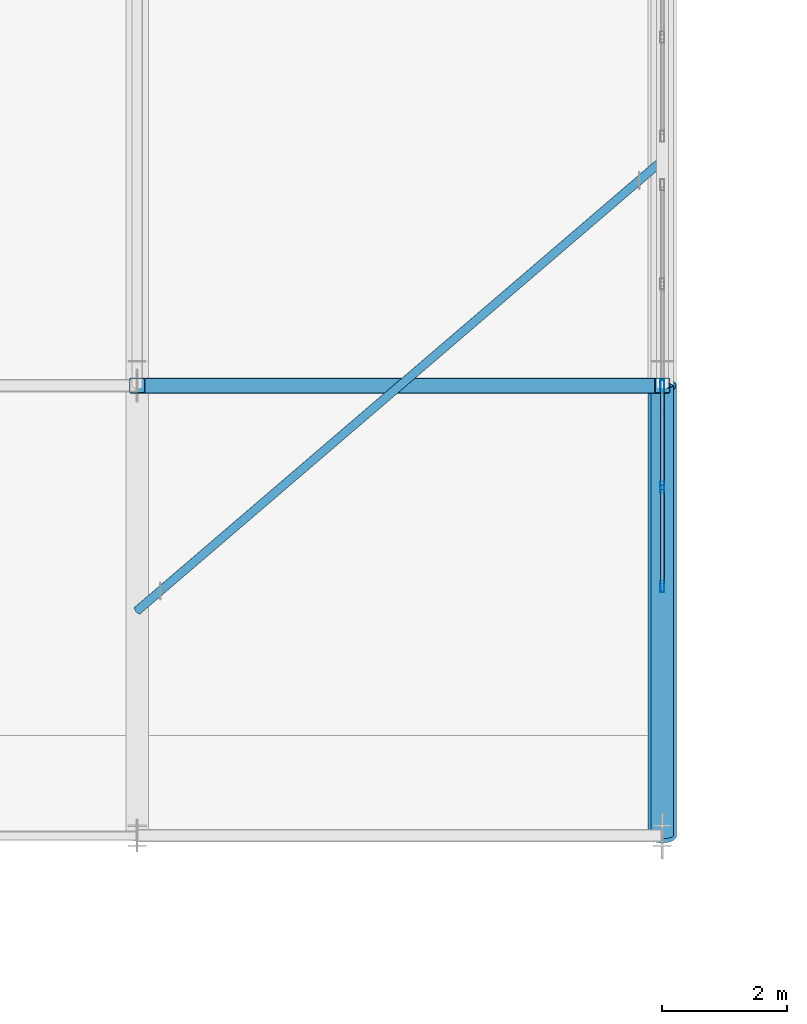
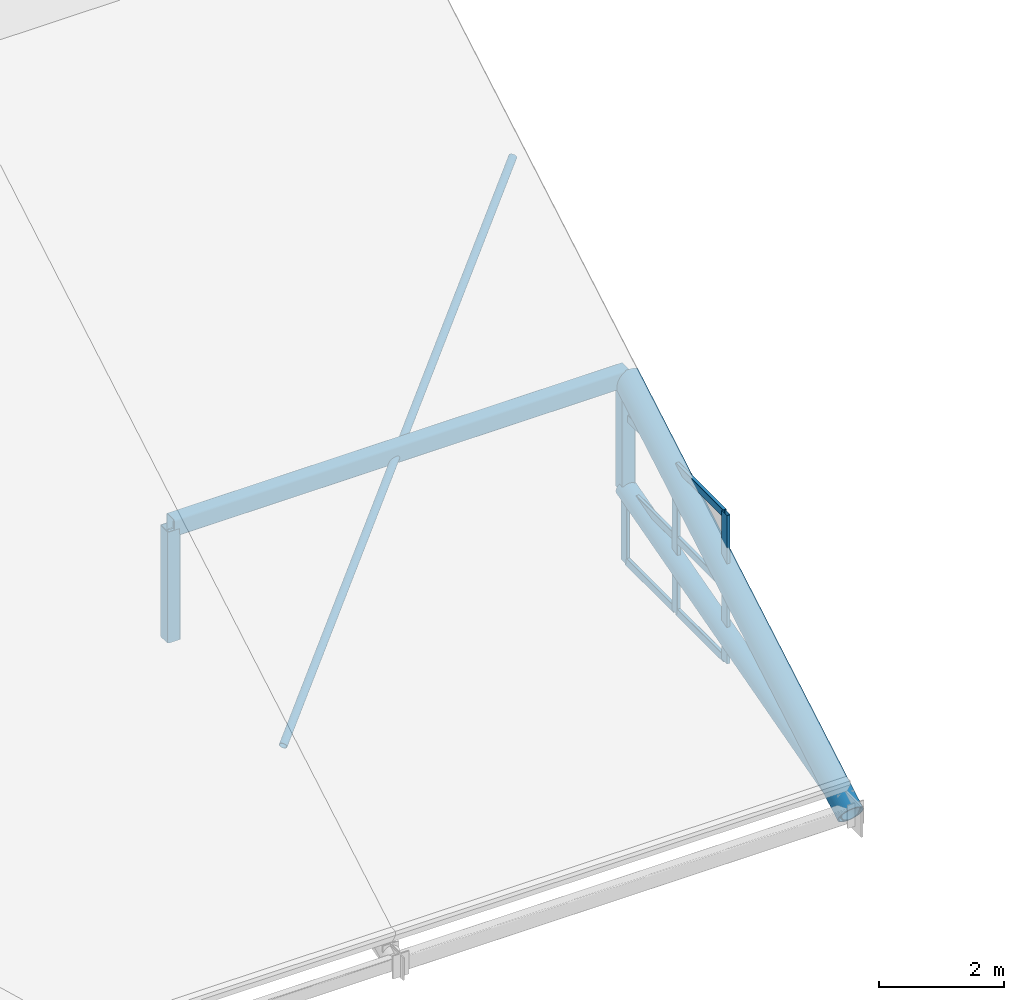
# One storey, part 21 of 54: 15 members, 1 element without a shape of its own.
"""IFC4 building model written with IfcOpenShell, lengths in metres."""

from ifc_helpers import new_model, si_unit, direction, frame, origin, origin_2d, place, context, subcontext, project, spatial, hollow_rectangle, hollow_circle, extrude, material, layer, layer_set, material_profile, profile_set, type_object, element, aggregate, save


model = new_model("IFC4")

# Units and contexts
model_context = context("Model", 3, precision=1e-05, world=origin(), true_north=direction((0.0, 1.0)))
body_context = subcontext(model_context, "Body", "Model", "MODEL_VIEW")
ifc_project = project(units=[si_unit("LENGTHUNIT", "METRE"), si_unit("AREAUNIT", "SQUARE_METRE"), si_unit("VOLUMEUNIT", "CUBIC_METRE"), si_unit("PLANEANGLEUNIT", "RADIAN"), si_unit("MASSUNIT", "GRAM", prefix="KILO")], contexts=[model_context])

# Site, building, storey
site_placement = place(None, origin())
site = spatial("IfcSite", under=ifc_project, at=site_placement, CompositionType="ELEMENT")
building_placement = place(site_placement, origin())
building = spatial("IfcBuilding", under=site, at=building_placement, Name="Zulmaris Art Gallery", CompositionType="ELEMENT")
storey_placement = place(building_placement, frame((0.0, 0.0, 26.39990234375)))
storey = spatial("IfcBuildingStorey", under=building, at=storey_placement, Name="L05", CompositionType="ELEMENT", Elevation=26.39990234375)

# Curtain wall, members
ifc_material_1 = material(Name="Pitched Roof North-Light Clerestory Wall", Category="aluminium")
ifc_layer = layer(ifc_material_1, 0.179931640625)
ifc_layer_set = layer_set([ifc_layer], Name="Pitched Roof North-Light Clerestory Wall")
curtain_wall_type = type_object("IfcCurtainWallType", Name="CW-CW05", PredefinedType="NOTDEFINED", material=ifc_layer_set)
curtain_wall_placement = place(storey_placement, origin())
curtain_wall = element("IfcCurtainWall", 1, at=curtain_wall_placement, inside=storey, type_object=curtain_wall_type, Name="L05 curtain wall 41", PredefinedType="NOTDEFINED")
ifc_material_2 = material(Name="Anodised Bronze Aluminium", Category="aluminium")
ifc_material_profile_1 = material_profile(ifc_material_2, hollow_rectangle(XDim=0.06494140625, YDim=0.179931640625, WallThickness=0.00390625, InnerFilletRadius=0.006103515625, OuterFilletRadius=0.010009765625, at=origin_2d()), Name="ALU 65x180x4")
ifc_profile_set_1 = profile_set([ifc_material_profile_1], Name="Anodised Bronze Aluminium")
member_type_1 = type_object("IfcMemberType", Name="CWMUL-01", PredefinedType="MULLION", material=ifc_profile_set_1)
member_1_placement = place(storey_placement, frame((82.800048828125, 25.58740234375, 0.0), z_axis=(0.0, 0.0, 1.0), x_axis=(-1.0, 0.0, 0.0)))
member_1 = element("IfcMember", 2, at=member_1_placement, type_object=member_type_1, Name="CW05 mullion 1", PredefinedType="MULLION", context=body_context, shape_type="SweptSolid", body=[
    extrude(hollow_rectangle(XDim=0.06494140625, YDim=0.179931640625, WallThickness=0.00390625, InnerFilletRadius=0.006103515625, OuterFilletRadius=0.010009765625, at=origin_2d()), origin(), (0.0, 0.0, 1.0), 2.900146484375),
])
member_2_placement = place(storey_placement, frame((82.800048828125, 27.175048828125, 0.0), z_axis=(0.0, 0.0, 1.0), x_axis=(-1.0, 0.0, 0.0)))
member_2 = element("IfcMember", 3, at=member_2_placement, type_object=member_type_1, Name="CW05 mullion 2", PredefinedType="MULLION", context=body_context, shape_type="SweptSolid", body=[
    extrude(hollow_rectangle(XDim=0.06494140625, YDim=0.179931640625, WallThickness=0.00390625, InnerFilletRadius=0.006103515625, OuterFilletRadius=0.010009765625, at=origin_2d()), origin(), (0.0, 0.0, 1.0), 2.900146484375),
])
member_3_placement = place(storey_placement, frame((82.800048828125, 28.800048828125, 0.0), z_axis=(0.0, 0.0, 1.0), x_axis=(-1.0, 0.0, 0.0)))
member_3 = element("IfcMember", 4, at=member_3_placement, type_object=member_type_1, Name="CW05 mullion 3", PredefinedType="MULLION", context=body_context, shape_type="SweptSolid", body=[
    extrude(hollow_rectangle(XDim=0.06494140625, YDim=0.179931640625, WallThickness=0.00390625, InnerFilletRadius=0.006103515625, OuterFilletRadius=0.010009765625, at=origin_2d()), origin(), (0.0, 0.0, 1.0), 2.900146484375),
])
ifc_material_profile_2 = material_profile(ifc_material_2, hollow_rectangle(XDim=0.06494140625, YDim=0.14990234375, WallThickness=0.00390625, InnerFilletRadius=0.006103515625, OuterFilletRadius=0.010009765625, at=origin_2d()), Name="ALU 65x150x4")
ifc_profile_set_2 = profile_set([ifc_material_profile_2], Name="Anodised Bronze Aluminium")
member_type_2 = type_object("IfcMemberType", Name="CWTRN-01", PredefinedType="USERDEFINED", material=ifc_profile_set_2)
member_4_placement = place(storey_placement, frame((82.800048828125, 25.625, 0.03759765625), z_axis=(0.0, 1.0, 0.0), x_axis=(-1.0, 0.0, 0.0)))
member_4 = element("IfcMember", 5, at=member_4_placement, type_object=member_type_2, Name="CW05 transom 1.1", ObjectType="TRANSOM", PredefinedType="USERDEFINED", context=body_context, shape_type="SweptSolid", body=[
    extrude(hollow_rectangle(XDim=0.06494140625, YDim=0.14990234375, WallThickness=0.00390625, InnerFilletRadius=0.006103515625, OuterFilletRadius=0.010009765625, at=origin_2d()), origin(), (0.0, 0.0, 1.0), 1.512451171875),
])
member_5_placement = place(storey_placement, frame((82.800048828125, 25.625, 1.4501953125), z_axis=(0.0, 1.0, 0.0), x_axis=(-1.0, 0.0, 0.0)))
member_5 = element("IfcMember", 6, at=member_5_placement, type_object=member_type_2, Name="CW05 transom 1.2", ObjectType="TRANSOM", PredefinedType="USERDEFINED", context=body_context, shape_type="SweptSolid", body=[
    extrude(hollow_rectangle(XDim=0.06494140625, YDim=0.14990234375, WallThickness=0.00390625, InnerFilletRadius=0.006103515625, OuterFilletRadius=0.010009765625, at=origin_2d()), origin(), (0.0, 0.0, 1.0), 1.512451171875),
])
member_6_placement = place(storey_placement, frame((82.800048828125, 25.625, 2.862548828125), z_axis=(0.0, 1.0, 0.0), x_axis=(-1.0, 0.0, 0.0)))
member_6 = element("IfcMember", 7, at=member_6_placement, type_object=member_type_2, Name="CW05 transom 1.3", ObjectType="TRANSOM", PredefinedType="USERDEFINED", context=body_context, shape_type="SweptSolid", body=[
    extrude(hollow_rectangle(XDim=0.06494140625, YDim=0.14990234375, WallThickness=0.00390625, InnerFilletRadius=0.006103515625, OuterFilletRadius=0.010009765625, at=origin_2d()), origin(), (0.0, 0.0, 1.0), 1.512451171875),
])
member_7_placement = place(storey_placement, frame((82.800048828125, 27.21240234375, 0.03759765625), z_axis=(0.0, 1.0, 0.0), x_axis=(-1.0, 0.0, 0.0)))
member_7 = element("IfcMember", 8, at=member_7_placement, type_object=member_type_2, Name="CW05 transom 2.1", ObjectType="TRANSOM", PredefinedType="USERDEFINED", context=body_context, shape_type="SweptSolid", body=[
    extrude(hollow_rectangle(XDim=0.06494140625, YDim=0.14990234375, WallThickness=0.00390625, InnerFilletRadius=0.006103515625, OuterFilletRadius=0.010009765625, at=origin_2d()), origin(), (0.0, 0.0, 1.0), 1.550048828125),
])
member_8_placement = place(storey_placement, frame((82.800048828125, 27.21240234375, 1.4501953125), z_axis=(0.0, 1.0, 0.0), x_axis=(-1.0, 0.0, 0.0)))
member_8 = element("IfcMember", 9, at=member_8_placement, type_object=member_type_2, Name="CW05 transom 2.2", ObjectType="TRANSOM", PredefinedType="USERDEFINED", context=body_context, shape_type="SweptSolid", body=[
    extrude(hollow_rectangle(XDim=0.06494140625, YDim=0.14990234375, WallThickness=0.00390625, InnerFilletRadius=0.006103515625, OuterFilletRadius=0.010009765625, at=origin_2d()), origin(), (0.0, 0.0, 1.0), 1.550048828125),
])
member_9_placement = place(storey_placement, frame((82.800048828125, 27.21240234375, 2.862548828125), z_axis=(0.0, 1.0, 0.0), x_axis=(-1.0, 0.0, 0.0)))
member_9 = element("IfcMember", 10, at=member_9_placement, type_object=member_type_2, Name="CW05 transom 2.3", ObjectType="TRANSOM", PredefinedType="USERDEFINED", context=body_context, shape_type="SweptSolid", body=[
    extrude(hollow_rectangle(XDim=0.06494140625, YDim=0.14990234375, WallThickness=0.00390625, InnerFilletRadius=0.006103515625, OuterFilletRadius=0.010009765625, at=origin_2d()), origin(), (0.0, 0.0, 1.0), 1.550048828125),
])
aggregate(curtain_wall, [member_1, member_2, member_3, member_4, member_5, member_6, member_7, member_8, member_9])

# Members
ifc_material_3 = material(Name="Steel S355J2H", Category="steel")
ifc_material_profile_3 = material_profile(ifc_material_3, hollow_circle(Radius=0.06982421875, WallThickness=0.008056640625, at=origin_2d()), Name="CHS 139.7x8")
ifc_profile_set_3 = profile_set([ifc_material_profile_3], Name="Steel S355J2H")
member_type_3 = type_object("IfcMemberType", Name="MEM-BR01", PredefinedType="BRACE", material=ifc_profile_set_3)
member_10_placement = place(storey_placement, frame((74.39990234375, 25.199951171875, 1.52001953125), z_axis=(0.709831942539, 0.608412643282, 0.354926286495), x_axis=(-0.650782286936, 0.759264390716, 0.0)))
element("IfcMember", 11, at=member_10_placement, inside=storey, type_object=member_type_3, Name="Roof wind collector brace 9A", PredefinedType="BRACE", context=body_context, shape_type="SweptSolid", body=[
    extrude(hollow_circle(Radius=0.06982421875, WallThickness=0.008056640625, at=origin_2d()), origin(), (0.0, 0.0, 1.0), 11.833984375),
])
ifc_material_profile_4 = material_profile(ifc_material_3, hollow_rectangle(XDim=0.25, YDim=0.35009765625, WallThickness=0.01611328125, InnerFilletRadius=0.02392578125, OuterFilletRadius=0.0400390625, at=origin_2d()), Name="RHS 350x250x16")
ifc_profile_set_4 = profile_set([ifc_material_profile_4], Name="Steel S355J2H")
member_type_4 = type_object("IfcMemberType", Name="MEM-PR04", PredefinedType="PURLIN", material=ifc_profile_set_4)
member_11_placement = place(storey_placement, frame((74.39990234375, 28.800048828125, 3.64501953125), z_axis=(1.0, 0.0, 0.0), x_axis=(0.0, 1.0, 0.0)))
element("IfcMember", 12, at=member_11_placement, inside=storey, type_object=member_type_4, Name="Skylight roof purlin bay 9 line 2", PredefinedType="PURLIN", context=body_context, shape_type="SweptSolid", body=[
    extrude(hollow_rectangle(XDim=0.25, YDim=0.35009765625, WallThickness=0.01611328125, InnerFilletRadius=0.02392578125, OuterFilletRadius=0.0400390625, at=origin_2d()), origin(), (0.0, 0.0, 1.0), 8.400146484375),
])
ifc_material_profile_5 = material_profile(ifc_material_3, hollow_circle(Radius=0.177734375, WallThickness=0.01611328125, at=origin_2d()), Name="CHS 355.6x16")
ifc_profile_set_5 = profile_set([ifc_material_profile_5], Name="Steel S355J2H")
member_type_5 = type_object("IfcMemberType", Name="MEM-TC01", PredefinedType="CHORD", material=ifc_profile_set_5)
member_12_placement = place(storey_placement, frame((82.800048828125, 21.60009765625, -0.5498046875), z_axis=(0.0, 0.963517441554, 0.267645548853), x_axis=(-1.0, 0.0, 0.0)))
element("IfcMember", 13, at=member_12_placement, inside=storey, type_object=member_type_5, Name="Pitched gallery truss TR-R10 bottom chord 1", PredefinedType="CHORD", context=body_context, shape_type="SweptSolid", body=[
    extrude(hollow_circle(Radius=0.177734375, WallThickness=0.01611328125, at=origin_2d()), origin(), (0.0, 0.0, 1.0), 7.47265625),
])
ifc_material_profile_6 = material_profile(ifc_material_3, hollow_circle(Radius=0.228515625, WallThickness=0.02001953125, at=origin_2d()), Name="CHS 457x20")
ifc_profile_set_6 = profile_set([ifc_material_profile_6], Name="Steel S355J2H")
member_type_6 = type_object("IfcMemberType", Name="MEM-TC03", PredefinedType="CHORD", material=ifc_profile_set_6)
member_13_placement = place(storey_placement, frame((82.800048828125, 21.60009765625, -0.579833984375), z_axis=(0.0, 0.863779963214, 0.503869204407), x_axis=(-1.0, 0.0, 0.0)))
element("IfcMember", 14, at=member_13_placement, inside=storey, type_object=member_type_6, Name="Pitched gallery truss TR-R10 top chord 1", PredefinedType="CHORD", context=body_context, shape_type="SweptSolid", body=[
    extrude(hollow_circle(Radius=0.228515625, WallThickness=0.02001953125, at=origin_2d()), origin(), (0.0, 0.0, 1.0), 8.33544921875),
])
ifc_material_profile_7 = material_profile(ifc_material_3, hollow_rectangle(XDim=0.25, YDim=0.25, WallThickness=0.012451171875, InnerFilletRadius=0.018798828125, OuterFilletRadius=0.03125, at=origin_2d()), Name="SHS 250x250x12.5")
ifc_profile_set_7 = profile_set([ifc_material_profile_7], Name="Steel S355J2H")
member_type_7 = type_object("IfcMemberType", Name="MEM-TP05", PredefinedType="POST", material=ifc_profile_set_7)
for number, where, z_axis, x_axis, name in (
    (15, (74.39990234375, 28.800048828125, 1.4501953125), (0.0, 0.0, 1.0), (1.0, 0.0, 0.0), "Pitched gallery truss TR-R09 web post 2"),
    (16, (82.800048828125, 28.800048828125, 1.4501953125), (0.0, 0.0, 1.0), (1.0, 0.0, 0.0), "Pitched gallery truss TR-R10 web post 2"),
):
    element("IfcMember", number, at=place(storey_placement, frame(where, z_axis=z_axis, x_axis=x_axis)), inside=storey, type_object=member_type_7, Name=name, PredefinedType="POST", context=body_context, shape_type="SweptSolid", body=[
        extrude(hollow_rectangle(XDim=0.25, YDim=0.25, WallThickness=0.012451171875, InnerFilletRadius=0.018798828125, OuterFilletRadius=0.03125, at=origin_2d()), origin(), (0.0, 0.0, 1.0), 2.169921875),
    ])

save(model, "model.ifc")
